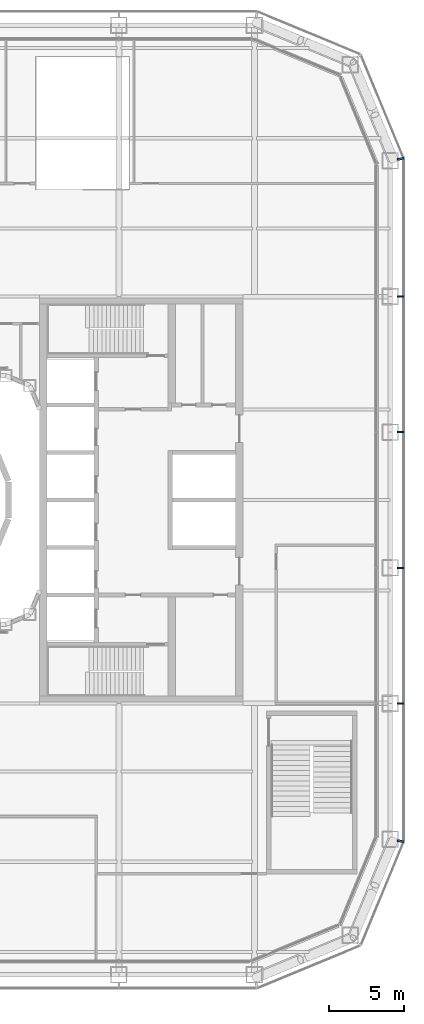
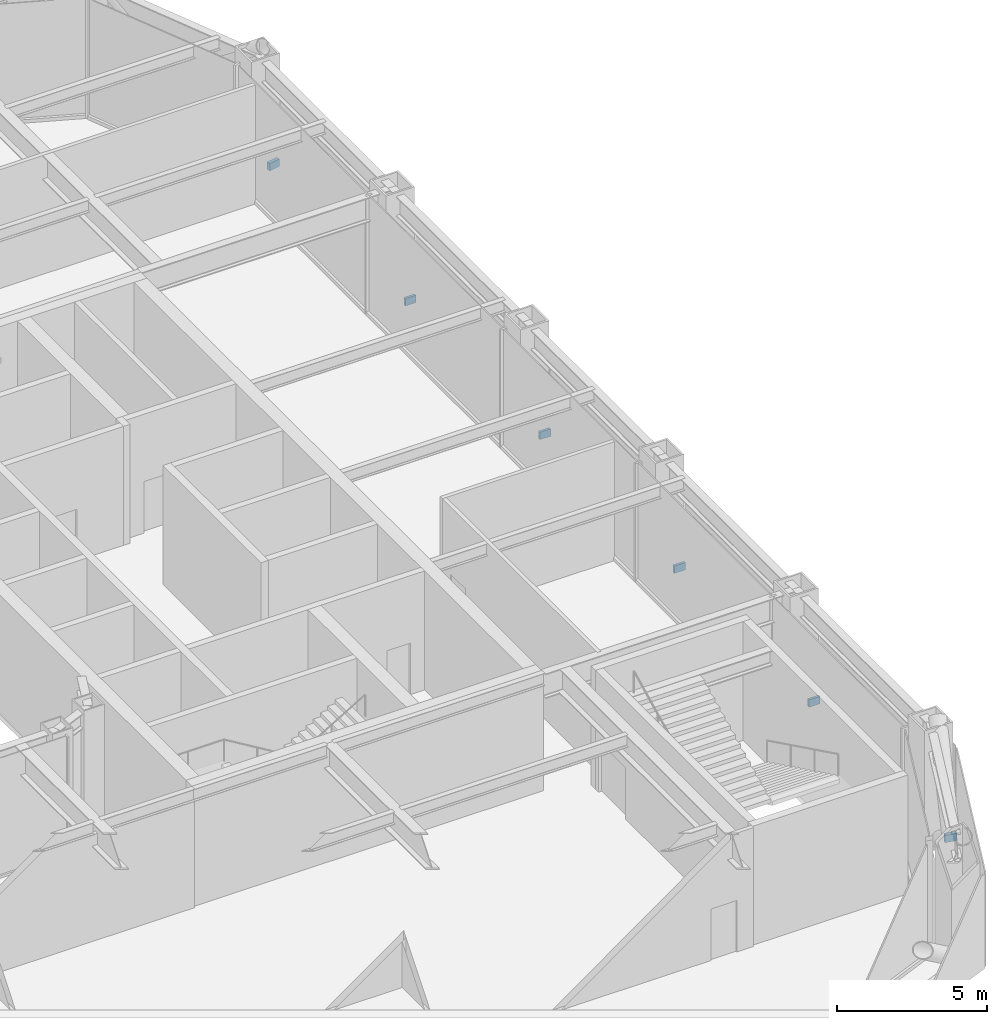
# One storey, part 18 of 24: 6 discrete accessories.
"""IFC4 building model written with IfcOpenShell, lengths in metres."""

from ifc_helpers import new_model, si_unit, direction, frame, origin, origin_2d, place, context, subcontext, project, spatial, rectangle, extrude, material, type_object, element, save


model = new_model("IFC4")

# Units and contexts
model_context = context("Model", 3, precision=1e-05, world=origin(), true_north=direction((0.0, 1.0)))
body_context = subcontext(model_context, "Body", "Model", "MODEL_VIEW")
ifc_project = project(units=[si_unit("LENGTHUNIT", "METRE"), si_unit("AREAUNIT", "SQUARE_METRE"), si_unit("VOLUMEUNIT", "CUBIC_METRE"), si_unit("PLANEANGLEUNIT", "RADIAN"), si_unit("MASSUNIT", "GRAM", prefix="KILO")], contexts=[model_context])

# Site, building, storey
site_placement = place(None, origin())
site = spatial("IfcSite", under=ifc_project, at=site_placement, CompositionType="ELEMENT")
building_placement = place(site_placement, origin())
building = spatial("IfcBuilding", under=site, at=building_placement, Name="Siwar Civic Tower", CompositionType="ELEMENT")
storey_placement = place(building_placement, frame((0.0, 0.0, 12.199951171875)))
storey = spatial("IfcBuildingStorey", under=building, at=storey_placement, Name="L02", CompositionType="ELEMENT", Elevation=12.199951171875)

# Discrete accessories
ifc_material = material(Name="Stainless steel 316", Category="steel")
discrete_accessory_type = type_object("IfcDiscreteAccessoryType", Name="ENV-BRACKET", PredefinedType="BRACKET", material=ifc_material)
for number, where, z_axis, x_axis, name in (
    (1, (32.18994140625, -13.5, -0.14990234375), (0.0, 0.0, 1.0), (1.0, 0.0, 0.0), "Bracket outer skin joint E-01"),
    (2, (32.18994140625, -4.5, -0.14990234375), (0.0, 0.0, 1.0), (1.0, 0.0, 0.0), "Bracket outer skin joint E-02"),
    (3, (32.18994140625, 4.5, -0.14990234375), (0.0, 0.0, 1.0), (1.0, 0.0, 0.0), "Bracket outer skin joint E-03"),
    (4, (32.18994140625, 13.5, -0.14990234375), (0.0, 0.0, 1.0), (1.0, 0.0, 0.0), "Bracket outer skin joint E-04"),
):
    element("IfcDiscreteAccessory", number, at=place(storey_placement, frame(where, z_axis=z_axis, x_axis=x_axis)), inside=storey, type_object=discrete_accessory_type, Name=name, PredefinedType="BRACKET", context=body_context, shape_type="SweptSolid", body=[
        extrude(rectangle(XDim=0.419921875, YDim=0.10009765625, at=origin_2d()), origin(), (0.0, 0.0, 1.0), 0.300048828125),
    ])
for number, where, z_axis, x_axis, name in (
    (5, (32.190185546875, -22.63720703125, -0.14990234375), (0.0, 0.0, 1.0), (0.980785280403, -0.195090322016, 0.0), "Bracket outer skin joint V03"),
    (6, (32.190185546875, 22.63720703125, -0.14990234375), (0.0, 0.0, 1.0), (0.980785280403, 0.195090322016, 0.0), "Bracket outer skin joint V04"),
):
    element("IfcDiscreteAccessory", number, at=place(storey_placement, frame(where, z_axis=z_axis, x_axis=x_axis)), inside=storey, type_object=discrete_accessory_type, Name=name, PredefinedType="BRACKET", context=body_context, shape_type="SweptSolid", body=[
        extrude(rectangle(XDim=0.427734375, YDim=0.13720703125, at=origin_2d()), origin(), (0.0, 0.0, 1.0), 0.300048828125),
    ])

save(model, "model.ifc")
